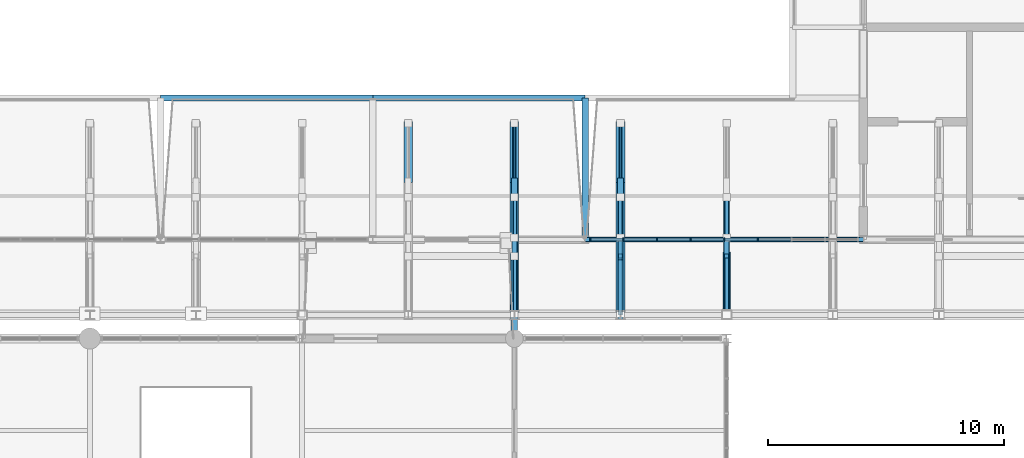
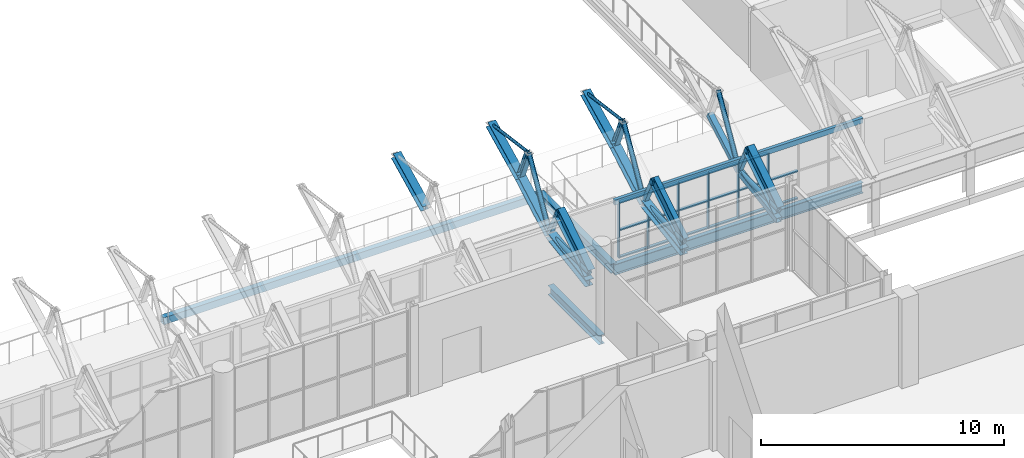
# One storey, part 79 of 134: 45 members, 9 beams, 1 element without a shape of its own.
"""IFC4 building model written with IfcOpenShell, lengths in metres."""

from ifc_helpers import new_model, si_unit, direction, frame, origin, origin_2d, place, context, subcontext, project, spatial, rectangle, hollow_rectangle, hollow_circle, i_section, extrude, material, layer, layer_set, material_profile, profile_set, type_object, element, aggregate, save


model = new_model("IFC4")

# Units and contexts
model_context = context("Model", 3, precision=1e-05, world=origin(), true_north=direction((0.0, 1.0)))
body_context = subcontext(model_context, "Body", "Model", "MODEL_VIEW")
ifc_project = project(units=[si_unit("LENGTHUNIT", "METRE"), si_unit("AREAUNIT", "SQUARE_METRE"), si_unit("VOLUMEUNIT", "CUBIC_METRE"), si_unit("PLANEANGLEUNIT", "RADIAN"), si_unit("MASSUNIT", "GRAM", prefix="KILO")], contexts=[model_context])

# Site, building, storey
site_placement = place(None, origin())
site = spatial("IfcSite", under=ifc_project, at=site_placement, CompositionType="ELEMENT")
building_placement = place(site_placement, origin())
building = spatial("IfcBuilding", under=site, at=building_placement, Name="Cazmaro Siding Exhibition Halls", CompositionType="ELEMENT")
storey_placement = place(building_placement, frame((0.0, 0.0, 12.0)))
storey = spatial("IfcBuildingStorey", under=building, at=storey_placement, Name="L02", CompositionType="ELEMENT", Elevation=12.0)

# Beams
ifc_material_1 = material(Name="Steel ASTM A992 Grade 50", Category="steel")
ifc_material_profile_1 = material_profile(ifc_material_1, i_section(OverallWidth=0.327880859375, OverallDepth=0.626953125, WebThickness=0.01708984375, FlangeThickness=0.028076171875, at=origin_2d()), Name="W24X146")
ifc_profile_set_1 = profile_set([ifc_material_profile_1], Name="Steel ASTM A992 Grade 50")
beam_type_1 = type_object("IfcBeamType", Name="AR-01", PredefinedType="USERDEFINED", material=ifc_profile_set_1)
beam_1_placement = place(storey_placement, frame((153.0, 64.0, 2.300048828125), z_axis=(0.0, 0.843339173298, 0.537381650954), x_axis=(-1.0, 0.0, 0.0)))
element("IfcBeam", 1, at=beam_1_placement, inside=storey, type_object=beam_type_1, Name="Space frame barrel vault arched rib AR-01 BM-1111", ObjectType="ARCHED RIB", PredefinedType="USERDEFINED", context=body_context, shape_type="SweptSolid", body=[
    extrude(i_section(OverallWidth=0.327880859375, OverallDepth=0.626953125, WebThickness=0.01708984375, FlangeThickness=0.028076171875, at=origin_2d()), origin(), (0.0, 0.0, 1.0), 2.96435546875),
])
ifc_material_2 = material(Name="Steel ASTM A992 Grade 50", Category="steel")
ifc_material_profile_2 = material_profile(ifc_material_2, i_section(OverallWidth=0.324951171875, OverallDepth=0.612060546875, WebThickness=0.012939453125, FlangeThickness=0.01904296875, at=origin_2d()), Name="W24X104")
ifc_profile_set_2 = profile_set([ifc_material_profile_2], Name="Steel ASTM A992 Grade 50")
beam_type_2 = type_object("IfcBeamType", Name="AR-02", PredefinedType="USERDEFINED", material=ifc_profile_set_2)
beam_2_placement = place(storey_placement, frame((144.0, 64.0, 2.300048828125), z_axis=(0.0, 0.843339173298, 0.537381650954), x_axis=(-1.0, 0.0, 0.0)))
element("IfcBeam", 2, at=beam_2_placement, inside=storey, type_object=beam_type_2, Name="Space frame barrel vault arched rib AR-02 BM-1063", ObjectType="ARCHED RIB", PredefinedType="USERDEFINED", context=body_context, shape_type="SweptSolid", body=[
    extrude(i_section(OverallWidth=0.324951171875, OverallDepth=0.612060546875, WebThickness=0.012939453125, FlangeThickness=0.01904296875, at=origin_2d()), origin(), (0.0, 0.0, 1.0), 2.96435546875),
])
ifc_material_3 = material(Name="Steel ASTM A992 Grade 50", Category="steel")
ifc_material_profile_3 = material_profile(ifc_material_3, i_section(OverallWidth=0.22900390625, OverallDepth=0.612060546875, WebThickness=0.011962890625, FlangeThickness=0.02001953125, at=origin_2d()), Name="W24X84")
ifc_profile_set_3 = profile_set([ifc_material_profile_3], Name="Steel ASTM A992 Grade 50")
beam_type_3 = type_object("IfcBeamType", Name="AR-03", PredefinedType="USERDEFINED", material=ifc_profile_set_3)
beam_3_placement = place(storey_placement, frame((148.5, 64.0, 2.300048828125), z_axis=(0.0, 0.843339173298, 0.537381650954), x_axis=(-1.0, 0.0, 0.0)))
element("IfcBeam", 3, at=beam_3_placement, inside=storey, type_object=beam_type_3, Name="Space frame barrel vault arched rib AR-03 BM-1087", ObjectType="ARCHED RIB", PredefinedType="USERDEFINED", context=body_context, shape_type="SweptSolid", body=[
    extrude(i_section(OverallWidth=0.22900390625, OverallDepth=0.612060546875, WebThickness=0.011962890625, FlangeThickness=0.02001953125, at=origin_2d()), origin(), (0.0, 0.0, 1.0), 2.96435546875),
])
ifc_material_4 = material(Name="Steel ASTM A992 Grade 50", Category="steel")
ifc_material_profile_4 = material_profile(ifc_material_4, i_section(OverallWidth=0.2099609375, OverallDepth=0.535888671875, WebThickness=0.010986328125, FlangeThickness=0.01708984375, at=origin_2d()), Name="W21X68")
ifc_profile_set_4 = profile_set([ifc_material_profile_4], Name="Steel ASTM A992 Grade 50")
beam_type_4 = type_object("IfcBeamType", Name="B-02", PredefinedType="BEAM", material=ifc_profile_set_4)
beam_4_placement = place(storey_placement, frame((147.0, 67.199951171875, -0.488037109375), z_axis=(1.0, 0.0, 0.0), x_axis=(0.0, 1.0, 0.0)))
element("IfcBeam", 4, at=beam_4_placement, inside=storey, type_object=beam_type_4, Name="Beam B-02 BM-0471", PredefinedType="BEAM", context=body_context, shape_type="SweptSolid", body=[
    extrude(i_section(OverallWidth=0.2099609375, OverallDepth=0.535888671875, WebThickness=0.010986328125, FlangeThickness=0.01708984375, at=origin_2d()), origin(), (0.0, 0.0, 1.0), 11.800048828125),
])
ifc_material_5 = material(Name="Steel ASTM A992 Grade 50", Category="steel")
ifc_material_profile_5 = material_profile(ifc_material_5, i_section(OverallWidth=0.279052734375, OverallDepth=0.4619140625, WebThickness=0.010986328125, FlangeThickness=0.01708984375, at=origin_2d()), Name="W18X76")
ifc_profile_set_5 = profile_set([ifc_material_profile_5], Name="Steel ASTM A992 Grade 50")
beam_type_5 = type_object("IfcBeamType", Name="B-03", PredefinedType="BEAM", material=ifc_profile_set_5)
beam_5_placement = place(storey_placement, frame((147.0, 67.199951171875, -0.450927734375), z_axis=(0.0, 1.0, 0.0), x_axis=(-1.0, 0.0, 0.0)))
element("IfcBeam", 5, at=beam_5_placement, inside=storey, type_object=beam_type_5, Name="Beam B-03 BM-0483", PredefinedType="BEAM", context=body_context, shape_type="SweptSolid", body=[
    extrude(i_section(OverallWidth=0.279052734375, OverallDepth=0.4619140625, WebThickness=0.010986328125, FlangeThickness=0.01708984375, at=origin_2d()), origin(), (0.0, 0.0, 1.0), 6.0),
])
beam_6_placement = place(storey_placement, frame((144.0, 63.0, -0.450927734375), z_axis=(0.0, 1.0, 0.0), x_axis=(-1.0, 0.0, 0.0)))
element("IfcBeam", 6, at=beam_6_placement, inside=storey, type_object=beam_type_5, Name="Beam B-03 BM-2525", PredefinedType="BEAM", context=body_context, shape_type="SweptSolid", body=[
    extrude(i_section(OverallWidth=0.279052734375, OverallDepth=0.4619140625, WebThickness=0.010986328125, FlangeThickness=0.01708984375, at=origin_2d()), origin(), (0.0, 0.0, 1.0), 4.199951171875),
])
ifc_material_6 = material(Name="Steel ASTM A500 Grade C", Category="steel")
ifc_material_profile_6 = material_profile(ifc_material_6, hollow_rectangle(XDim=0.25390625, YDim=0.35595703125, WallThickness=0.014892578125, at=origin_2d()), Name="HSS14X10X5/8")
ifc_profile_set_6 = profile_set([ifc_material_profile_6], Name="Steel ASTM A500 Grade C")
beam_type_6 = type_object("IfcBeamType", Name="B-06", PredefinedType="BEAM", material=ifc_profile_set_6)
for number, where, z_axis, x_axis, name in (
    (7, (129.0, 73.199951171875, -0.39794921875), (1.0, 0.0, 0.0), (0.0, 1.0, 0.0), "Beam B-06 BM-0468"),
    (8, (138.0, 73.199951171875, -0.39794921875), (1.0, 0.0, 0.0), (0.0, 1.0, 0.0), "Beam B-06 BM-0470"),
):
    element("IfcBeam", number, at=place(storey_placement, frame(where, z_axis=z_axis, x_axis=x_axis)), inside=storey, type_object=beam_type_6, Name=name, PredefinedType="BEAM", context=body_context, shape_type="SweptSolid", body=[
        extrude(hollow_rectangle(XDim=0.25390625, YDim=0.35595703125, WallThickness=0.014892578125, at=origin_2d()), origin(), (0.0, 0.0, 1.0), 9.0),
    ])

# Curtain wall, members
ifc_material_7 = material(Name="Anodized Bronze Aluminum and Solar-Control Low-E Glazing", Category="aluminium")
ifc_layer = layer(ifc_material_7, 0.159912109375)
ifc_layer_set = layer_set([ifc_layer], Name="Anodized Bronze Aluminum and Solar-Control Low-E Glazing")
curtain_wall_type = type_object("IfcCurtainWallType", Name="CWS-04", PredefinedType="USERDEFINED", material=ifc_layer_set)
curtain_wall_placement = place(storey_placement, origin())
curtain_wall = element("IfcCurtainWall", 9, at=curtain_wall_placement, inside=storey, type_object=curtain_wall_type, Name="Clerestory Curtain Wall CWS-04 CW-045", ObjectType="CLERESTORY CURTAIN WALL", PredefinedType="USERDEFINED")
ifc_material_8 = material(Name="Anodized Bronze Extruded Aluminum", Category="aluminium")
ifc_material_profile_7 = material_profile(ifc_material_8, rectangle(XDim=0.159912109375, YDim=0.06005859375, at=origin_2d()), Name="CWM-04")
ifc_profile_set_7 = profile_set([ifc_material_profile_7], Name="Anodized Bronze Extruded Aluminum")
member_type_1 = type_object("IfcMemberType", Name="CWM-04", PredefinedType="MULLION", material=ifc_profile_set_7)
member_1_placement = place(storey_placement, frame((147.22705078125, 67.199951171875, 0.0), z_axis=(0.0, 0.0, 1.0), x_axis=(0.0, 1.0, 0.0)))
member_1 = element("IfcMember", 10, at=member_1_placement, type_object=member_type_1, Name="CWS-04 mullion 1", PredefinedType="MULLION", context=body_context, shape_type="SweptSolid", body=[
    extrude(rectangle(XDim=0.159912109375, YDim=0.06005859375, at=origin_2d()), origin(), (0.0, 0.0, 1.0), 2.800048828125),
])
member_2_placement = place(storey_placement, frame((148.622802734375, 67.199951171875, 0.0), z_axis=(0.0, 0.0, 1.0), x_axis=(0.0, 1.0, 0.0)))
member_2 = element("IfcMember", 11, at=member_2_placement, type_object=member_type_1, Name="CWS-04 mullion 2", PredefinedType="MULLION", context=body_context, shape_type="SweptSolid", body=[
    extrude(rectangle(XDim=0.159912109375, YDim=0.06005859375, at=origin_2d()), origin(), (0.0, 0.0, 1.0), 2.800048828125),
])
member_3_placement = place(storey_placement, frame((150.048583984375, 67.199951171875, 0.0), z_axis=(0.0, 0.0, 1.0), x_axis=(0.0, 1.0, 0.0)))
member_3 = element("IfcMember", 12, at=member_3_placement, type_object=member_type_1, Name="CWS-04 mullion 3", PredefinedType="MULLION", context=body_context, shape_type="SweptSolid", body=[
    extrude(rectangle(XDim=0.159912109375, YDim=0.06005859375, at=origin_2d()), origin(), (0.0, 0.0, 1.0), 2.800048828125),
])
member_4_placement = place(storey_placement, frame((151.474365234375, 67.199951171875, 0.0), z_axis=(0.0, 0.0, 1.0), x_axis=(0.0, 1.0, 0.0)))
member_4 = element("IfcMember", 13, at=member_4_placement, type_object=member_type_1, Name="CWS-04 mullion 4", PredefinedType="MULLION", context=body_context, shape_type="SweptSolid", body=[
    extrude(rectangle(XDim=0.159912109375, YDim=0.06005859375, at=origin_2d()), origin(), (0.0, 0.0, 1.0), 2.800048828125),
])
member_5_placement = place(storey_placement, frame((152.89990234375, 67.199951171875, 0.0), z_axis=(0.0, 0.0, 1.0), x_axis=(0.0, 1.0, 0.0)))
member_5 = element("IfcMember", 14, at=member_5_placement, type_object=member_type_1, Name="CWS-04 mullion 5", PredefinedType="MULLION", context=body_context, shape_type="SweptSolid", body=[
    extrude(rectangle(XDim=0.159912109375, YDim=0.06005859375, at=origin_2d()), origin(), (0.0, 0.0, 1.0), 2.800048828125),
])
member_6_placement = place(storey_placement, frame((154.32568359375, 67.199951171875, 0.0), z_axis=(0.0, 0.0, 1.0), x_axis=(0.0, 1.0, 0.0)))
member_6 = element("IfcMember", 15, at=member_6_placement, type_object=member_type_1, Name="CWS-04 mullion 6", PredefinedType="MULLION", context=body_context, shape_type="SweptSolid", body=[
    extrude(rectangle(XDim=0.159912109375, YDim=0.06005859375, at=origin_2d()), origin(), (0.0, 0.0, 1.0), 2.800048828125),
])
ifc_material_9 = material(Name="Anodized Bronze Extruded Aluminum", Category="aluminium")
ifc_material_profile_8 = material_profile(ifc_material_9, rectangle(XDim=0.139892578125, YDim=0.06005859375, at=origin_2d()), Name="CWT-04")
ifc_profile_set_8 = profile_set([ifc_material_profile_8], Name="Anodized Bronze Extruded Aluminum")
member_type_2 = type_object("IfcMemberType", Name="CWT-04", PredefinedType="MULLION", material=ifc_profile_set_8)
member_7_placement = place(storey_placement, frame((147.257080078125, 67.199951171875, 0.030029296875), z_axis=(1.0, 0.0, 0.0), x_axis=(0.0, 1.0, 0.0)))
member_7 = element("IfcMember", 16, at=member_7_placement, type_object=member_type_2, Name="CWS-04 transom 1.1", ObjectType="TRANSOM", PredefinedType="USERDEFINED", context=body_context, shape_type="SweptSolid", body=[
    extrude(rectangle(XDim=0.139892578125, YDim=0.06005859375, at=origin_2d()), origin(), (0.0, 0.0, 1.0), 1.335693359375),
])
member_8_placement = place(storey_placement, frame((147.257080078125, 67.199951171875, 1.39990234375), z_axis=(1.0, 0.0, 0.0), x_axis=(0.0, 1.0, 0.0)))
member_8 = element("IfcMember", 17, at=member_8_placement, type_object=member_type_2, Name="CWS-04 transom 1.2", ObjectType="TRANSOM", PredefinedType="USERDEFINED", context=body_context, shape_type="SweptSolid", body=[
    extrude(rectangle(XDim=0.139892578125, YDim=0.06005859375, at=origin_2d()), origin(), (0.0, 0.0, 1.0), 1.335693359375),
])
member_9_placement = place(storey_placement, frame((147.257080078125, 67.199951171875, 2.77001953125), z_axis=(1.0, 0.0, 0.0), x_axis=(0.0, 1.0, 0.0)))
member_9 = element("IfcMember", 18, at=member_9_placement, type_object=member_type_2, Name="CWS-04 transom 1.3", ObjectType="TRANSOM", PredefinedType="USERDEFINED", context=body_context, shape_type="SweptSolid", body=[
    extrude(rectangle(XDim=0.139892578125, YDim=0.06005859375, at=origin_2d()), origin(), (0.0, 0.0, 1.0), 1.335693359375),
])
member_10_placement = place(storey_placement, frame((148.65283203125, 67.199951171875, 0.030029296875), z_axis=(1.0, 0.0, 0.0), x_axis=(0.0, 1.0, 0.0)))
member_10 = element("IfcMember", 19, at=member_10_placement, type_object=member_type_2, Name="CWS-04 transom 2.1", ObjectType="TRANSOM", PredefinedType="USERDEFINED", context=body_context, shape_type="SweptSolid", body=[
    extrude(rectangle(XDim=0.139892578125, YDim=0.06005859375, at=origin_2d()), origin(), (0.0, 0.0, 1.0), 1.36572265625),
])
member_11_placement = place(storey_placement, frame((148.65283203125, 67.199951171875, 1.39990234375), z_axis=(1.0, 0.0, 0.0), x_axis=(0.0, 1.0, 0.0)))
member_11 = element("IfcMember", 20, at=member_11_placement, type_object=member_type_2, Name="CWS-04 transom 2.2", ObjectType="TRANSOM", PredefinedType="USERDEFINED", context=body_context, shape_type="SweptSolid", body=[
    extrude(rectangle(XDim=0.139892578125, YDim=0.06005859375, at=origin_2d()), origin(), (0.0, 0.0, 1.0), 1.36572265625),
])
member_12_placement = place(storey_placement, frame((148.65283203125, 67.199951171875, 2.77001953125), z_axis=(1.0, 0.0, 0.0), x_axis=(0.0, 1.0, 0.0)))
member_12 = element("IfcMember", 21, at=member_12_placement, type_object=member_type_2, Name="CWS-04 transom 2.3", ObjectType="TRANSOM", PredefinedType="USERDEFINED", context=body_context, shape_type="SweptSolid", body=[
    extrude(rectangle(XDim=0.139892578125, YDim=0.06005859375, at=origin_2d()), origin(), (0.0, 0.0, 1.0), 1.36572265625),
])
member_13_placement = place(storey_placement, frame((150.07861328125, 67.199951171875, 0.030029296875), z_axis=(1.0, 0.0, 0.0), x_axis=(0.0, 1.0, 0.0)))
member_13 = element("IfcMember", 22, at=member_13_placement, type_object=member_type_2, Name="CWS-04 transom 3.1", ObjectType="TRANSOM", PredefinedType="USERDEFINED", context=body_context, shape_type="SweptSolid", body=[
    extrude(rectangle(XDim=0.139892578125, YDim=0.06005859375, at=origin_2d()), origin(), (0.0, 0.0, 1.0), 1.36572265625),
])
member_14_placement = place(storey_placement, frame((150.07861328125, 67.199951171875, 1.39990234375), z_axis=(1.0, 0.0, 0.0), x_axis=(0.0, 1.0, 0.0)))
member_14 = element("IfcMember", 23, at=member_14_placement, type_object=member_type_2, Name="CWS-04 transom 3.2", ObjectType="TRANSOM", PredefinedType="USERDEFINED", context=body_context, shape_type="SweptSolid", body=[
    extrude(rectangle(XDim=0.139892578125, YDim=0.06005859375, at=origin_2d()), origin(), (0.0, 0.0, 1.0), 1.36572265625),
])
member_15_placement = place(storey_placement, frame((150.07861328125, 67.199951171875, 2.77001953125), z_axis=(1.0, 0.0, 0.0), x_axis=(0.0, 1.0, 0.0)))
member_15 = element("IfcMember", 24, at=member_15_placement, type_object=member_type_2, Name="CWS-04 transom 3.3", ObjectType="TRANSOM", PredefinedType="USERDEFINED", context=body_context, shape_type="SweptSolid", body=[
    extrude(rectangle(XDim=0.139892578125, YDim=0.06005859375, at=origin_2d()), origin(), (0.0, 0.0, 1.0), 1.36572265625),
])
member_16_placement = place(storey_placement, frame((151.504150390625, 67.199951171875, 0.030029296875), z_axis=(1.0, 0.0, 0.0), x_axis=(0.0, 1.0, 0.0)))
member_16 = element("IfcMember", 25, at=member_16_placement, type_object=member_type_2, Name="CWS-04 transom 4.1", ObjectType="TRANSOM", PredefinedType="USERDEFINED", context=body_context, shape_type="SweptSolid", body=[
    extrude(rectangle(XDim=0.139892578125, YDim=0.06005859375, at=origin_2d()), origin(), (0.0, 0.0, 1.0), 1.365966796875),
])
member_17_placement = place(storey_placement, frame((151.504150390625, 67.199951171875, 1.39990234375), z_axis=(1.0, 0.0, 0.0), x_axis=(0.0, 1.0, 0.0)))
member_17 = element("IfcMember", 26, at=member_17_placement, type_object=member_type_2, Name="CWS-04 transom 4.2", ObjectType="TRANSOM", PredefinedType="USERDEFINED", context=body_context, shape_type="SweptSolid", body=[
    extrude(rectangle(XDim=0.139892578125, YDim=0.06005859375, at=origin_2d()), origin(), (0.0, 0.0, 1.0), 1.365966796875),
])
member_18_placement = place(storey_placement, frame((151.504150390625, 67.199951171875, 2.77001953125), z_axis=(1.0, 0.0, 0.0), x_axis=(0.0, 1.0, 0.0)))
member_18 = element("IfcMember", 27, at=member_18_placement, type_object=member_type_2, Name="CWS-04 transom 4.3", ObjectType="TRANSOM", PredefinedType="USERDEFINED", context=body_context, shape_type="SweptSolid", body=[
    extrude(rectangle(XDim=0.139892578125, YDim=0.06005859375, at=origin_2d()), origin(), (0.0, 0.0, 1.0), 1.365966796875),
])
member_19_placement = place(storey_placement, frame((152.929931640625, 67.199951171875, 0.030029296875), z_axis=(1.0, 0.0, 0.0), x_axis=(0.0, 1.0, 0.0)))
member_19 = element("IfcMember", 28, at=member_19_placement, type_object=member_type_2, Name="CWS-04 transom 5.1", ObjectType="TRANSOM", PredefinedType="USERDEFINED", context=body_context, shape_type="SweptSolid", body=[
    extrude(rectangle(XDim=0.139892578125, YDim=0.06005859375, at=origin_2d()), origin(), (0.0, 0.0, 1.0), 1.36572265625),
])
member_20_placement = place(storey_placement, frame((152.929931640625, 67.199951171875, 1.39990234375), z_axis=(1.0, 0.0, 0.0), x_axis=(0.0, 1.0, 0.0)))
member_20 = element("IfcMember", 29, at=member_20_placement, type_object=member_type_2, Name="CWS-04 transom 5.2", ObjectType="TRANSOM", PredefinedType="USERDEFINED", context=body_context, shape_type="SweptSolid", body=[
    extrude(rectangle(XDim=0.139892578125, YDim=0.06005859375, at=origin_2d()), origin(), (0.0, 0.0, 1.0), 1.36572265625),
])
member_21_placement = place(storey_placement, frame((152.929931640625, 67.199951171875, 2.77001953125), z_axis=(1.0, 0.0, 0.0), x_axis=(0.0, 1.0, 0.0)))
member_21 = element("IfcMember", 30, at=member_21_placement, type_object=member_type_2, Name="CWS-04 transom 5.3", ObjectType="TRANSOM", PredefinedType="USERDEFINED", context=body_context, shape_type="SweptSolid", body=[
    extrude(rectangle(XDim=0.139892578125, YDim=0.06005859375, at=origin_2d()), origin(), (0.0, 0.0, 1.0), 1.36572265625),
])
member_22_placement = place(storey_placement, frame((154.355712890625, 67.199951171875, 0.030029296875), z_axis=(1.0, 0.0, 0.0), x_axis=(0.0, 1.0, 0.0)))
member_22 = element("IfcMember", 31, at=member_22_placement, type_object=member_type_2, Name="CWS-04 transom 6.1", ObjectType="TRANSOM", PredefinedType="USERDEFINED", context=body_context, shape_type="SweptSolid", body=[
    extrude(rectangle(XDim=0.139892578125, YDim=0.06005859375, at=origin_2d()), origin(), (0.0, 0.0, 1.0), 1.36572265625),
])
member_23_placement = place(storey_placement, frame((154.355712890625, 67.199951171875, 1.39990234375), z_axis=(1.0, 0.0, 0.0), x_axis=(0.0, 1.0, 0.0)))
member_23 = element("IfcMember", 32, at=member_23_placement, type_object=member_type_2, Name="CWS-04 transom 6.2", ObjectType="TRANSOM", PredefinedType="USERDEFINED", context=body_context, shape_type="SweptSolid", body=[
    extrude(rectangle(XDim=0.139892578125, YDim=0.06005859375, at=origin_2d()), origin(), (0.0, 0.0, 1.0), 1.36572265625),
])
aggregate(curtain_wall, [member_1, member_2, member_3, member_4, member_5, member_6, member_7, member_8, member_9, member_10, member_11, member_12, member_13, member_14, member_15, member_16, member_17, member_18, member_19, member_20, member_21, member_22, member_23])

# Beam
ifc_material_10 = material(Name="Steel ASTM A500 Grade C", Category="steel")
ifc_material_profile_9 = material_profile(ifc_material_10, hollow_rectangle(XDim=0.152099609375, YDim=0.25390625, WallThickness=0.011962890625, at=origin_2d()), Name="HSS10X6X1/2")
ifc_profile_set_9 = profile_set([ifc_material_profile_9], Name="Steel ASTM A500 Grade C")
beam_type_7 = type_object("IfcBeamType", Name="SP-02", PredefinedType="SPANDREL", material=ifc_profile_set_9)
beam_7_placement = place(storey_placement, frame((147.0, 67.199951171875, 2.873046875), z_axis=(1.0, 0.0, 0.0), x_axis=(0.0, 1.0, 0.0)))
element("IfcBeam", 33, at=beam_7_placement, inside=storey, type_object=beam_type_7, Name="Beam SP-02 BM-0251", PredefinedType="SPANDREL", context=body_context, shape_type="SweptSolid", body=[
    extrude(hollow_rectangle(XDim=0.152099609375, YDim=0.25390625, WallThickness=0.011962890625, at=origin_2d()), origin(), (0.0, 0.0, 1.0), 11.800048828125),
])

# Members
ifc_material_11 = material(Name="Steel ASTM A500 Grade C", Category="steel")
ifc_material_profile_10 = material_profile(ifc_material_11, hollow_rectangle(XDim=0.25390625, YDim=0.25390625, WallThickness=0.014892578125, at=origin_2d()), Name="HSS10X10X5/8")
ifc_profile_set_10 = profile_set([ifc_material_profile_10], Name="Steel ASTM A500 Grade C")
member_type_3 = type_object("IfcMemberType", Name="TC-01", PredefinedType="CHORD", material=ifc_profile_set_10)
member_24_placement = place(storey_placement, frame((153.0, 64.0, 1.800048828125), z_axis=(0.0, 0.988252010809, 0.152833121839), x_axis=(-1.0, 0.0, 0.0)))
element("IfcMember", 34, at=member_24_placement, inside=storey, type_object=member_type_3, Name="Space frame barrel vault bottom chord TC-01 MEM-1657", PredefinedType="CHORD", context=body_context, shape_type="SweptSolid", body=[
    extrude(hollow_rectangle(XDim=0.25390625, YDim=0.25390625, WallThickness=0.014892578125, at=origin_2d()), origin(), (0.0, 0.0, 1.0), 3.309814453125),
])
member_25_placement = place(storey_placement, frame((153.0, 67.27099609375, 2.305908203125), z_axis=(0.0, 0.871222319466, 0.490888653428), x_axis=(-1.0, 0.0, 0.0)))
element("IfcMember", 35, at=member_25_placement, inside=storey, type_object=member_type_3, Name="Space frame barrel vault bottom chord TC-01 MEM-1659", PredefinedType="CHORD", context=body_context, shape_type="SweptSolid", body=[
    extrude(hollow_rectangle(XDim=0.25390625, YDim=0.25390625, WallThickness=0.014892578125, at=origin_2d()), origin(), (0.0, 0.0, 1.0), 2.7890625),
])
ifc_material_12 = material(Name="Steel ASTM A992 Grade 50", Category="steel")
ifc_material_profile_11 = material_profile(ifc_material_12, i_section(OverallWidth=0.37109375, OverallDepth=0.364013671875, WebThickness=0.012939453125, FlangeThickness=0.02197265625, at=origin_2d()), Name="W14X109")
ifc_profile_set_11 = profile_set([ifc_material_profile_11], Name="Steel ASTM A992 Grade 50")
member_type_4 = type_object("IfcMemberType", Name="TC-06", PredefinedType="CHORD", material=ifc_profile_set_11)
member_26_placement = place(storey_placement, frame((139.5, 69.700927734375, 3.675048828125), z_axis=(0.0, 0.896077457924, 0.443897724033), x_axis=(-1.0, 0.0, 0.0)))
element("IfcMember", 36, at=member_26_placement, inside=storey, type_object=member_type_4, Name="Space frame barrel vault bottom chord TC-06 MEM-1448", PredefinedType="CHORD", context=body_context, shape_type="SweptSolid", body=[
    extrude(i_section(OverallWidth=0.37109375, OverallDepth=0.364013671875, WebThickness=0.012939453125, FlangeThickness=0.02197265625, at=origin_2d()), origin(), (0.0, 0.0, 1.0), 2.7119140625),
])
member_27_placement = place(storey_placement, frame((144.0, 64.0, 1.800048828125), z_axis=(0.0, 0.988252010809, 0.152833121839), x_axis=(-1.0, 0.0, 0.0)))
element("IfcMember", 37, at=member_27_placement, inside=storey, type_object=member_type_4, Name="Space frame barrel vault bottom chord TC-06 MEM-1515", PredefinedType="CHORD", context=body_context, shape_type="SweptSolid", body=[
    extrude(i_section(OverallWidth=0.37109375, OverallDepth=0.364013671875, WebThickness=0.012939453125, FlangeThickness=0.02197265625, at=origin_2d()), origin(), (0.0, 0.0, 1.0), 3.309814453125),
])
member_28_placement = place(storey_placement, frame((144.0, 67.27099609375, 2.305908203125), z_axis=(0.0, 0.871222319466, 0.490888653428), x_axis=(-1.0, 0.0, 0.0)))
element("IfcMember", 38, at=member_28_placement, inside=storey, type_object=member_type_4, Name="Space frame barrel vault bottom chord TC-06 MEM-1517", PredefinedType="CHORD", context=body_context, shape_type="SweptSolid", body=[
    extrude(i_section(OverallWidth=0.37109375, OverallDepth=0.364013671875, WebThickness=0.012939453125, FlangeThickness=0.02197265625, at=origin_2d()), origin(), (0.0, 0.0, 1.0), 2.7890625),
])
member_29_placement = place(storey_placement, frame((144.0, 69.700927734375, 3.675048828125), z_axis=(0.0, 0.896077457924, 0.443897724033), x_axis=(-1.0, 0.0, 0.0)))
element("IfcMember", 39, at=member_29_placement, inside=storey, type_object=member_type_4, Name="Space frame barrel vault bottom chord TC-06 MEM-1519", PredefinedType="CHORD", context=body_context, shape_type="SweptSolid", body=[
    extrude(i_section(OverallWidth=0.37109375, OverallDepth=0.364013671875, WebThickness=0.012939453125, FlangeThickness=0.02197265625, at=origin_2d()), origin(), (0.0, 0.0, 1.0), 2.7119140625),
])
member_30_placement = place(storey_placement, frame((148.5, 64.0, 1.800048828125), z_axis=(0.0, 0.988252010809, 0.152833121839), x_axis=(-1.0, 0.0, 0.0)))
element("IfcMember", 40, at=member_30_placement, inside=storey, type_object=member_type_4, Name="Space frame barrel vault bottom chord TC-06 MEM-1586", PredefinedType="CHORD", context=body_context, shape_type="SweptSolid", body=[
    extrude(i_section(OverallWidth=0.37109375, OverallDepth=0.364013671875, WebThickness=0.012939453125, FlangeThickness=0.02197265625, at=origin_2d()), origin(), (0.0, 0.0, 1.0), 3.309814453125),
])
member_31_placement = place(storey_placement, frame((148.5, 67.27099609375, 2.305908203125), z_axis=(0.0, 0.871222319466, 0.490888653428), x_axis=(-1.0, 0.0, 0.0)))
element("IfcMember", 41, at=member_31_placement, inside=storey, type_object=member_type_4, Name="Space frame barrel vault bottom chord TC-06 MEM-1588", PredefinedType="CHORD", context=body_context, shape_type="SweptSolid", body=[
    extrude(i_section(OverallWidth=0.37109375, OverallDepth=0.364013671875, WebThickness=0.012939453125, FlangeThickness=0.02197265625, at=origin_2d()), origin(), (0.0, 0.0, 1.0), 2.7890625),
])
member_32_placement = place(storey_placement, frame((148.5, 69.700927734375, 3.675048828125), z_axis=(0.0, 0.896077457924, 0.443897724033), x_axis=(-1.0, 0.0, 0.0)))
element("IfcMember", 42, at=member_32_placement, inside=storey, type_object=member_type_4, Name="Space frame barrel vault bottom chord TC-06 MEM-1590", PredefinedType="CHORD", context=body_context, shape_type="SweptSolid", body=[
    extrude(i_section(OverallWidth=0.37109375, OverallDepth=0.364013671875, WebThickness=0.012939453125, FlangeThickness=0.02197265625, at=origin_2d()), origin(), (0.0, 0.0, 1.0), 2.7119140625),
])
ifc_material_13 = material(Name="Steel ASTM A500 Grade C", Category="steel")
ifc_material_profile_12 = material_profile(ifc_material_13, hollow_rectangle(XDim=0.202880859375, YDim=0.202880859375, WallThickness=0.011962890625, at=origin_2d()), Name="HSS8X8X1/2")
ifc_profile_set_12 = profile_set([ifc_material_profile_12], Name="Steel ASTM A500 Grade C")
member_type_5 = type_object("IfcMemberType", Name="TP-01", PredefinedType="POST", material=ifc_profile_set_12)
for number, where, z_axis, x_axis, name in (
    (43, (144.0, 67.27099609375, 2.305908203125), (0.0, -0.436945543824, 0.89948796086), (1.0, 0.0, 0.0), "Space frame barrel vault post TP-01 MEM-1563"),
    (44, (148.5, 67.27099609375, 2.305908203125), (0.0, -0.436945543824, 0.89948796086), (1.0, 0.0, 0.0), "Space frame barrel vault post TP-01 MEM-1634"),
    (45, (153.0, 67.27099609375, 2.305908203125), (0.0, -0.436945543824, 0.89948796086), (1.0, 0.0, 0.0), "Space frame barrel vault post TP-01 MEM-1705"),
):
    element("IfcMember", number, at=place(storey_placement, frame(where, z_axis=z_axis, x_axis=x_axis)), inside=storey, type_object=member_type_5, Name=name, PredefinedType="POST", context=body_context, shape_type="SweptSolid", body=[
        extrude(hollow_rectangle(XDim=0.202880859375, YDim=0.202880859375, WallThickness=0.011962890625, at=origin_2d()), origin(), (0.0, 0.0, 1.0), 1.764404296875),
    ])
ifc_material_14 = material(Name="Steel ASTM A992 Grade 50", Category="steel")
ifc_material_profile_13 = material_profile(ifc_material_14, i_section(OverallWidth=0.25390625, OverallDepth=0.25390625, WebThickness=0.009033203125, FlangeThickness=0.013916015625, at=origin_2d()), Name="W10X49")
ifc_profile_set_13 = profile_set([ifc_material_profile_13], Name="Steel ASTM A992 Grade 50")
member_type_6 = type_object("IfcMemberType", Name="TP-04", PredefinedType="POST", material=ifc_profile_set_13)
for number, where, z_axis, x_axis, name in (
    (46, (144.0, 69.700927734375, 3.675048828125), (0.0, -0.395865434272, 0.918308530913), (1.0, 0.0, 0.0), "Space frame barrel vault post TP-04 MEM-1564"),
    (47, (148.5, 69.700927734375, 3.675048828125), (0.0, -0.395865434272, 0.918308530913), (1.0, 0.0, 0.0), "Space frame barrel vault post TP-04 MEM-1635"),
):
    element("IfcMember", number, at=place(storey_placement, frame(where, z_axis=z_axis, x_axis=x_axis)), inside=storey, type_object=member_type_6, Name=name, PredefinedType="POST", context=body_context, shape_type="SweptSolid", body=[
        extrude(i_section(OverallWidth=0.25390625, OverallDepth=0.25390625, WebThickness=0.009033203125, FlangeThickness=0.013916015625, at=origin_2d()), origin(), (0.0, 0.0, 1.0), 1.7705078125),
    ])
ifc_material_15 = material(Name="Steel ASTM A500 Grade C", Category="steel")
ifc_material_profile_14 = material_profile(ifc_material_15, hollow_circle(Radius=0.109619140625, WallThickness=0.012939453125, at=origin_2d()), Name="PIPE8XS")
ifc_profile_set_14 = profile_set([ifc_material_profile_14], Name="Steel ASTM A500 Grade C")
member_type_7 = type_object("IfcMemberType", Name="WB-01", PredefinedType="BRACE", material=ifc_profile_set_14)
member_33_placement = place(storey_placement, frame((144.0, 64.0, 2.300048828125), z_axis=(0.0, 0.999998395604, 0.001791309262), x_axis=(-1.0, 0.0, 0.0)))
element("IfcMember", 48, at=member_33_placement, inside=storey, type_object=member_type_7, Name="Space frame barrel vault diagonal WB-01 MEM-1516", PredefinedType="BRACE", context=body_context, shape_type="SweptSolid", body=[
    extrude(hollow_circle(Radius=0.109619140625, WallThickness=0.012939453125, at=origin_2d()), origin(), (0.0, 0.0, 1.0), 3.27099609375),
])
member_34_placement = place(storey_placement, frame((144.0, 67.27099609375, 2.305908203125), z_axis=(0.0, 0.499950595228, 0.866053925764), x_axis=(-1.0, 0.0, 0.0)))
element("IfcMember", 49, at=member_34_placement, inside=storey, type_object=member_type_7, Name="Space frame barrel vault diagonal WB-01 MEM-1518", PredefinedType="BRACE", context=body_context, shape_type="SweptSolid", body=[
    extrude(hollow_circle(Radius=0.109619140625, WallThickness=0.012939453125, at=origin_2d()), origin(), (0.0, 0.0, 1.0), 3.458251953125),
])
member_35_placement = place(storey_placement, frame((148.5, 64.0, 2.300048828125), z_axis=(0.0, 0.999998395604, 0.001791309262), x_axis=(-1.0, 0.0, 0.0)))
element("IfcMember", 50, at=member_35_placement, inside=storey, type_object=member_type_7, Name="Space frame barrel vault diagonal WB-01 MEM-1587", PredefinedType="BRACE", context=body_context, shape_type="SweptSolid", body=[
    extrude(hollow_circle(Radius=0.109619140625, WallThickness=0.012939453125, at=origin_2d()), origin(), (0.0, 0.0, 1.0), 3.27099609375),
])
member_36_placement = place(storey_placement, frame((148.5, 67.27099609375, 2.305908203125), z_axis=(0.0, 0.499950595228, 0.866053925764), x_axis=(-1.0, 0.0, 0.0)))
element("IfcMember", 51, at=member_36_placement, inside=storey, type_object=member_type_7, Name="Space frame barrel vault diagonal WB-01 MEM-1589", PredefinedType="BRACE", context=body_context, shape_type="SweptSolid", body=[
    extrude(hollow_circle(Radius=0.109619140625, WallThickness=0.012939453125, at=origin_2d()), origin(), (0.0, 0.0, 1.0), 3.458251953125),
])
member_37_placement = place(storey_placement, frame((153.0, 64.0, 2.300048828125), z_axis=(0.0, 0.999998395604, 0.001791309262), x_axis=(-1.0, 0.0, 0.0)))
element("IfcMember", 52, at=member_37_placement, inside=storey, type_object=member_type_7, Name="Space frame barrel vault diagonal WB-01 MEM-1658", PredefinedType="BRACE", context=body_context, shape_type="SweptSolid", body=[
    extrude(hollow_circle(Radius=0.109619140625, WallThickness=0.012939453125, at=origin_2d()), origin(), (0.0, 0.0, 1.0), 3.27099609375),
])
member_38_placement = place(storey_placement, frame((153.0, 67.27099609375, 2.305908203125), z_axis=(0.0, 0.499950595228, 0.866053925764), x_axis=(-1.0, 0.0, 0.0)))
element("IfcMember", 53, at=member_38_placement, inside=storey, type_object=member_type_7, Name="Space frame barrel vault diagonal WB-01 MEM-1660", PredefinedType="BRACE", context=body_context, shape_type="SweptSolid", body=[
    extrude(hollow_circle(Radius=0.109619140625, WallThickness=0.012939453125, at=origin_2d()), origin(), (0.0, 0.0, 1.0), 3.458251953125),
])
ifc_material_16 = material(Name="Steel ASTM A500 Grade C", Category="steel")
ifc_material_profile_15 = material_profile(ifc_material_16, hollow_circle(Radius=0.070556640625, WallThickness=0.01904296875, at=origin_2d()), Name="PIPE5XXS")
ifc_profile_set_15 = profile_set([ifc_material_profile_15], Name="Steel ASTM A500 Grade C")
member_type_8 = type_object("IfcMemberType", Name="WB-07", PredefinedType="BRACE", material=ifc_profile_set_15)
for number, where, z_axis, x_axis, name in (
    (54, (144.0, 69.0, 5.301025390625), (0.0, 0.991034510477, -0.133606134005), (-1.0, 0.0, 0.0), "Space frame barrel vault diagonal WB-07 MEM-1520"),
    (55, (148.5, 69.0, 5.301025390625), (0.0, 0.991034510477, -0.133606134005), (-1.0, 0.0, 0.0), "Space frame barrel vault diagonal WB-07 MEM-1591"),
):
    element("IfcMember", number, at=place(storey_placement, frame(where, z_axis=z_axis, x_axis=x_axis)), inside=storey, type_object=member_type_8, Name=name, PredefinedType="BRACE", context=body_context, shape_type="SweptSolid", body=[
        extrude(hollow_circle(Radius=0.070556640625, WallThickness=0.01904296875, at=origin_2d()), origin(), (0.0, 0.0, 1.0), 3.159423828125),
    ])

save(model, "model.ifc")
